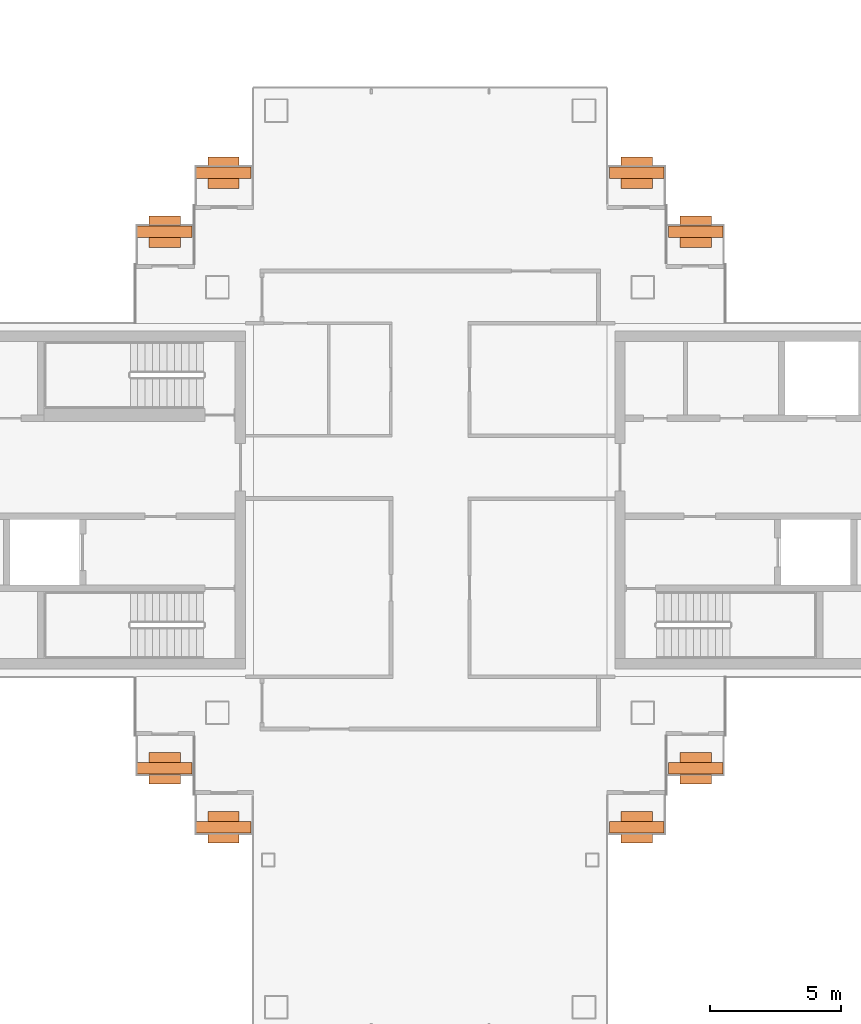
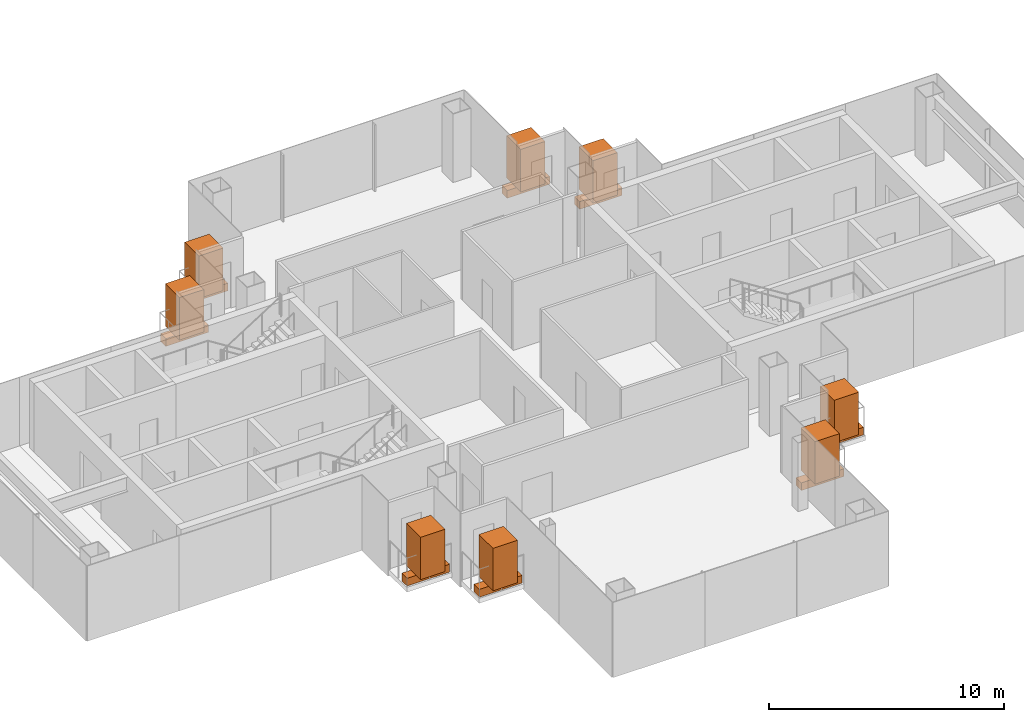
# One storey, part 17 of 17: 8 geographic elements, 8 proxies.
"""IFC4 building model written with IfcOpenShell, lengths in metres."""

from ifc_helpers import new_model, si_unit, direction, frame, origin, origin_2d, place, context, subcontext, project, spatial, rectangle, extrude, material, type_object, element, save


model = new_model("IFC4")

# Units and contexts
model_context = context("Model", 3, precision=1e-05, world=origin(), true_north=direction((0.0, 1.0)))
body_context = subcontext(model_context, "Body", "Model", "MODEL_VIEW")
ifc_project = project(units=[si_unit("LENGTHUNIT", "METRE"), si_unit("AREAUNIT", "SQUARE_METRE"), si_unit("VOLUMEUNIT", "CUBIC_METRE"), si_unit("PLANEANGLEUNIT", "RADIAN"), si_unit("MASSUNIT", "GRAM", prefix="KILO")], contexts=[model_context])

# Site, building, storey
site_placement = place(None, origin())
site = spatial("IfcSite", under=ifc_project, at=site_placement, CompositionType="ELEMENT")
building_placement = place(site_placement, origin())
building = spatial("IfcBuilding", under=site, at=building_placement, Name="Shamsa Quay Exchange Towers", CompositionType="ELEMENT")
storey_placement = place(building_placement, frame((0.0, 0.0, 253.800048828125)))
storey = spatial("IfcBuildingStorey", under=building, at=storey_placement, Name="L61", CompositionType="ELEMENT", Elevation=253.800048828125)

# Proxies
ifc_material_1 = material(Name="Reinforced concrete C30/37, black glass-fibre faced", Category="concrete")
building_element_proxy_type = type_object("IfcBuildingElementProxyType", Name="BALCONY PLANTER", PredefinedType="USERDEFINED", material=ifc_material_1)
for number, where, z_axis, x_axis, name in (
    (1, (-23.60595703125, 10.2451171875, 0.0), (0.0, 0.0, 1.0), (-1.0, 0.0, 0.0), "PLANTER T1-PKEN L61"),
    (2, (-25.85595703125, 12.4951171875, 0.0), (0.0, 0.0, 1.0), (-1.0, 0.0, 0.0), "PLANTER T1-PKEN L61"),
):
    element("IfcBuildingElementProxy", number, at=place(storey_placement, frame(where, z_axis=z_axis, x_axis=x_axis)), inside=storey, type_object=building_element_proxy_type, Name=name, ObjectType="PLANTER", PredefinedType="USERDEFINED", context=body_context, shape_type="SweptSolid", body=[
        extrude(rectangle(XDim=2.092041015625, YDim=0.449951171875, at=origin_2d()), origin(), (0.0, 0.0, 1.0), 0.39990234375),
    ])
for number, where, name in (
    (3, (-23.60595703125, -10.2451171875, 0.0), "PLANTER T1-PKES L61"),
    (4, (-25.85595703125, -12.4951171875, 0.0), "PLANTER T1-PKES L61"),
):
    element("IfcBuildingElementProxy", number, at=place(storey_placement, frame(where)), inside=storey, type_object=building_element_proxy_type, Name=name, ObjectType="PLANTER", PredefinedType="USERDEFINED", context=body_context, shape_type="SweptSolid", body=[
        extrude(rectangle(XDim=2.092041015625, YDim=0.449951171875, at=origin_2d()), origin(), (0.0, 0.0, 1.0), 0.39990234375),
    ])
for number, where, z_axis, x_axis, name in (
    (5, (-41.64404296875, 12.4951171875, 0.0), (0.0, 0.0, 1.0), (-1.0, 0.0, 0.0), "PLANTER T1-PKWN L61"),
    (6, (-43.89404296875, 10.2451171875, 0.0), (0.0, 0.0, 1.0), (-1.0, 0.0, 0.0), "PLANTER T1-PKWN L61"),
):
    element("IfcBuildingElementProxy", number, at=place(storey_placement, frame(where, z_axis=z_axis, x_axis=x_axis)), inside=storey, type_object=building_element_proxy_type, Name=name, ObjectType="PLANTER", PredefinedType="USERDEFINED", context=body_context, shape_type="SweptSolid", body=[
        extrude(rectangle(XDim=2.092041015625, YDim=0.449951171875, at=origin_2d()), origin(), (0.0, 0.0, 1.0), 0.39990234375),
    ])
for number, where, name in (
    (7, (-43.89404296875, -10.2451171875, 0.0), "PLANTER T1-PKWS L61"),
    (8, (-41.64404296875, -12.4951171875, 0.0), "PLANTER T1-PKWS L61"),
):
    element("IfcBuildingElementProxy", number, at=place(storey_placement, frame(where)), inside=storey, type_object=building_element_proxy_type, Name=name, ObjectType="PLANTER", PredefinedType="USERDEFINED", context=body_context, shape_type="SweptSolid", body=[
        extrude(rectangle(XDim=2.092041015625, YDim=0.449951171875, at=origin_2d()), origin(), (0.0, 0.0, 1.0), 0.39990234375),
    ])

# Geographic elements
ifc_material_2 = material(Name="Planting")
geographic_element_type = type_object("IfcGeographicElementType", Name="BALCONY TREE", PredefinedType="USERDEFINED", material=ifc_material_2)
for number, where, z_axis, x_axis, name in (
    (9, (-23.60595703125, 10.2451171875, 0.39990234375), (0.0, 0.0, 1.0), (-1.0, 0.0, 0.0), "TREE T1-PKEN L61"),
    (10, (-25.85595703125, 12.4951171875, 0.39990234375), (0.0, 0.0, 1.0), (-1.0, 0.0, 0.0), "TREE T1-PKEN L61"),
):
    element("IfcGeographicElement", number, at=place(storey_placement, frame(where, z_axis=z_axis, x_axis=x_axis)), inside=storey, type_object=geographic_element_type, Name=name, ObjectType="TREE", PredefinedType="USERDEFINED", context=body_context, shape_type="SweptSolid", body=[
        extrude(rectangle(XDim=1.199951171875, YDim=1.199951171875, at=origin_2d()), origin(), (0.0, 0.0, 1.0), 2.199951171875),
    ])
for number, where, name in (
    (11, (-23.60595703125, -10.2451171875, 0.39990234375), "TREE T1-PKES L61"),
    (12, (-25.85595703125, -12.4951171875, 0.39990234375), "TREE T1-PKES L61"),
):
    element("IfcGeographicElement", number, at=place(storey_placement, frame(where)), inside=storey, type_object=geographic_element_type, Name=name, ObjectType="TREE", PredefinedType="USERDEFINED", context=body_context, shape_type="SweptSolid", body=[
        extrude(rectangle(XDim=1.199951171875, YDim=1.199951171875, at=origin_2d()), origin(), (0.0, 0.0, 1.0), 2.199951171875),
    ])
for number, where, z_axis, x_axis, name in (
    (13, (-41.64404296875, 12.4951171875, 0.39990234375), (0.0, 0.0, 1.0), (-1.0, 0.0, 0.0), "TREE T1-PKWN L61"),
    (14, (-43.89404296875, 10.2451171875, 0.39990234375), (0.0, 0.0, 1.0), (-1.0, 0.0, 0.0), "TREE T1-PKWN L61"),
):
    element("IfcGeographicElement", number, at=place(storey_placement, frame(where, z_axis=z_axis, x_axis=x_axis)), inside=storey, type_object=geographic_element_type, Name=name, ObjectType="TREE", PredefinedType="USERDEFINED", context=body_context, shape_type="SweptSolid", body=[
        extrude(rectangle(XDim=1.199951171875, YDim=1.199951171875, at=origin_2d()), origin(), (0.0, 0.0, 1.0), 2.199951171875),
    ])
for number, where, name in (
    (15, (-43.89404296875, -10.2451171875, 0.39990234375), "TREE T1-PKWS L61"),
    (16, (-41.64404296875, -12.4951171875, 0.39990234375), "TREE T1-PKWS L61"),
):
    element("IfcGeographicElement", number, at=place(storey_placement, frame(where)), inside=storey, type_object=geographic_element_type, Name=name, ObjectType="TREE", PredefinedType="USERDEFINED", context=body_context, shape_type="SweptSolid", body=[
        extrude(rectangle(XDim=1.199951171875, YDim=1.199951171875, at=origin_2d()), origin(), (0.0, 0.0, 1.0), 2.199951171875),
    ])

save(model, "model.ifc")
